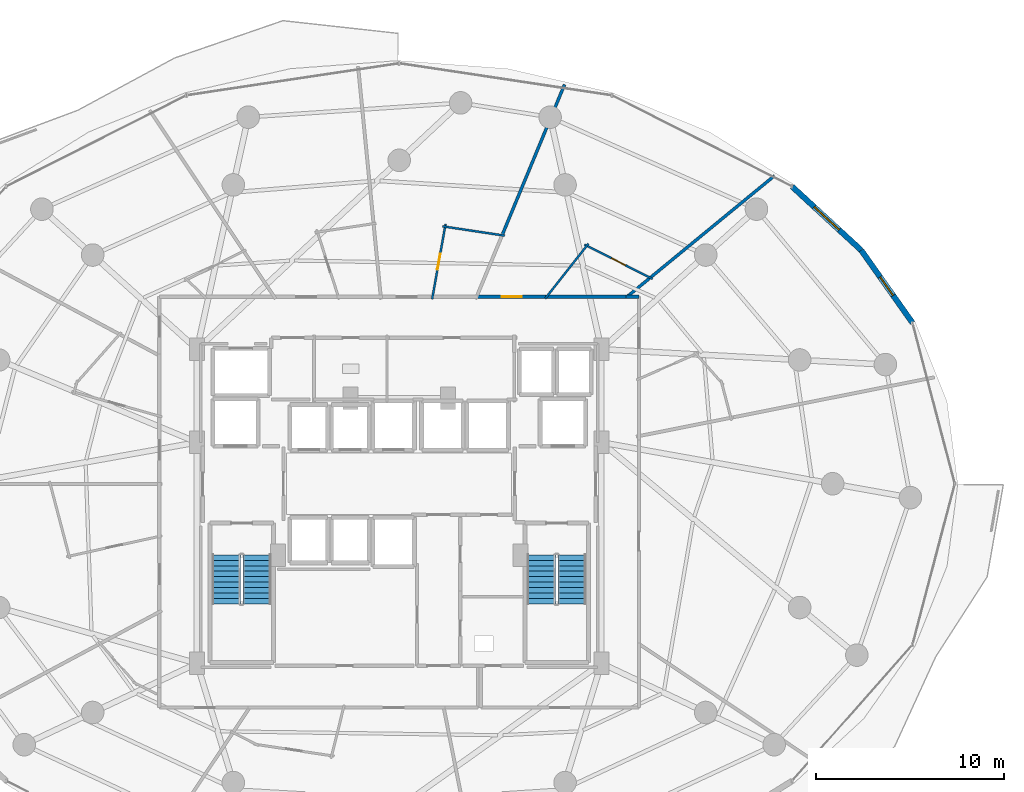
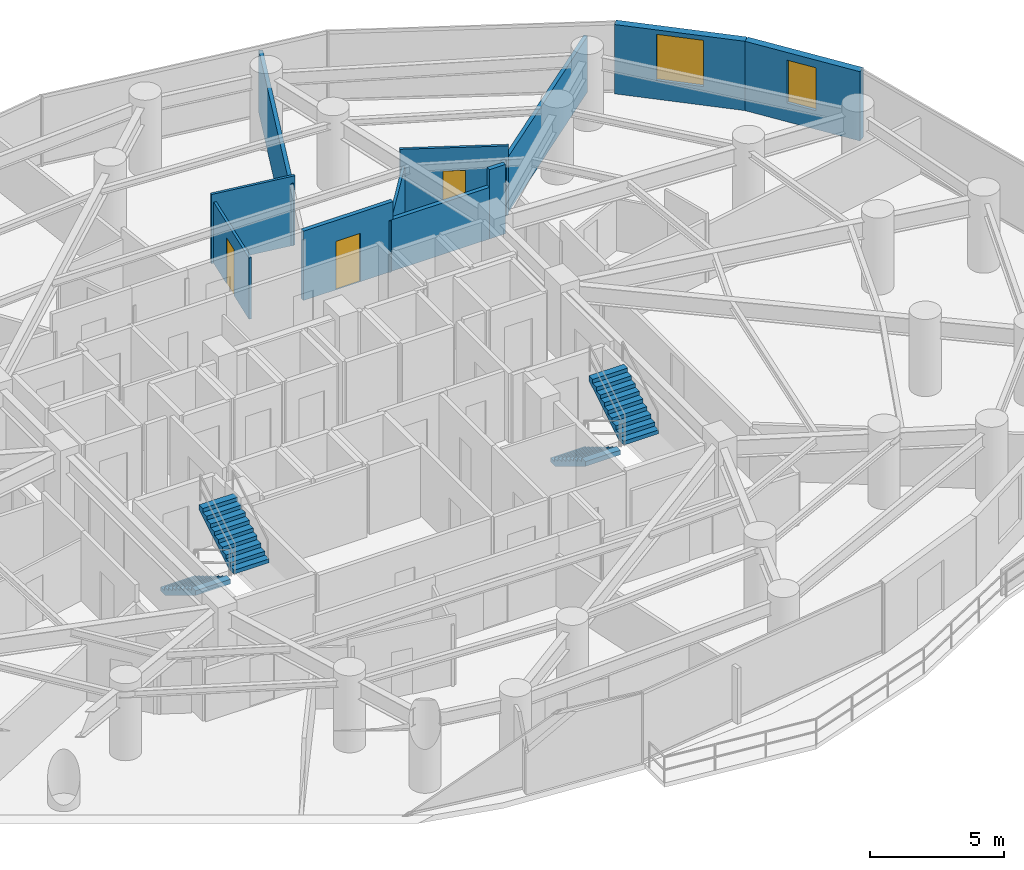
# One storey, part 30 of 34: 11 walls, 4 stair flights, 3 doors, 2 windows, 5 openings, 2 elements without a shape of their own.
"""IFC4 building model written with IfcOpenShell, lengths in metres."""

from ifc_helpers import new_model, si_unit, direction, frame, frame_2d, origin, place, context, subcontext, project, spatial, polyline, rectangle, outline, extrude, material, layer, layer_set, type_object, element, fill, aggregate, save


model = new_model("IFC4")

# Units and contexts
model_context = context("Model", 3, precision=1e-05, world=origin(), true_north=direction((0.0, 1.0)))
body_context = subcontext(model_context, "Body", "Model", "MODEL_VIEW")
ifc_project = project(units=[si_unit("LENGTHUNIT", "METRE"), si_unit("AREAUNIT", "SQUARE_METRE"), si_unit("VOLUMEUNIT", "CUBIC_METRE"), si_unit("PLANEANGLEUNIT", "RADIAN"), si_unit("MASSUNIT", "GRAM", prefix="KILO")], contexts=[model_context])

# Site, building, storey
site_placement = place(None, origin())
site = spatial("IfcSite", under=ifc_project, at=site_placement, CompositionType="ELEMENT")
building_placement = place(site_placement, origin())
building = spatial("IfcBuilding", under=site, at=building_placement, Name="Vorneva Point Tower", CompositionType="ELEMENT")
storey_placement = place(building_placement, frame((0.0, 0.0, 66.0)))
storey = spatial("IfcBuildingStorey", under=building, at=storey_placement, Name="L17", CompositionType="ELEMENT", Elevation=66.0)

# Wall, opening, window
ifc_material_1 = material(Name="Precast concrete B50 (C40/50)", Category="concrete")
ifc_layer_1 = layer(ifc_material_1, 0.300048828125)
ifc_layer_set_1 = layer_set([ifc_layer_1], Name="Precast concrete B50 (C40/50)")
wall_type_1 = type_object("IfcWallType", Name="WL-EXT-300", PredefinedType="STANDARD", material=ifc_layer_set_1)
wall_1_placement = place(storey_placement, frame((65.300537109375, 34.552978515625, 0.0), z_axis=(0.0, 0.0, 1.0), x_axis=(-0.577130815624, 0.816651713803, 0.0)))
wall_1 = element("IfcWall", 1, at=wall_1_placement, inside=storey, type_object=wall_type_1, Name="L17 Pale-Metal Facade Spandrel Wall 02.1", PredefinedType="STANDARD", context=body_context, shape_type="SweptSolid", body=[
    extrude(rectangle(XDim=4.7314453125, YDim=0.300048828125, at=frame_2d((2.36572265625, 0.0))), origin(), (0.0, 0.0, 1.0), 3.14990234375),
])
opening_1_placement = place(wall_1_placement, frame((1.79541015625, 0.0, 0.85009765625)))
opening_1 = element("IfcOpeningElement", 2, at=opening_1_placement, cuts=wall_1, Name="Opening W-04", PredefinedType="OPENING", context=body_context, shape_type="SweptSolid", body=[
    extrude(rectangle(XDim=1.199951171875, YDim=1.949951171875, at=frame_2d((0.60009765625, 0.97509765625))), frame((0.0, 0.1650390625, 0.0), z_axis=(0.0, -1.0, 0.0), x_axis=(1.0, 0.0, 0.0)), (0.0, 0.0, 1.0), 0.329833984375),
])
ifc_material_2 = material(Name="Double low-e laminated glass IGU", Category="glass")
window_type_1 = type_object("IfcWindowType", Name="WN-RES-1200", PartitioningType="SINGLE_PANEL", PredefinedType="WINDOW", material=ifc_material_2)
window_1_placement = place(opening_1_placement, origin())
window_1 = element("IfcWindow", 3, at=window_1_placement, inside=storey, type_object=window_type_1, Name="L17 Dwelling Vision Window 01", OverallHeight=1.949951171875, OverallWidth=1.199951171875, PartitioningType="SINGLE_PANEL", PredefinedType="WINDOW", context=body_context, shape_type="SweptSolid", body=[
    extrude(rectangle(XDim=1.199951171875, YDim=1.949951171875, at=frame_2d((0.60009765625, 0.97509765625))), frame((0.0, 0.030029296875, 0.0), z_axis=(0.0, -1.0, 0.0), x_axis=(1.0, 0.0, 0.0)), (0.0, 0.0, 1.0), 0.06005859375),
])
fill(opening_1, window_1)

wall_2_placement = place(storey_placement, frame((62.56982421875, 38.4169921875, 0.0), z_axis=(0.0, 0.0, 1.0), x_axis=(-0.735342629635, 0.677695519419, 0.0)))
wall_2 = element("IfcWall", 4, at=wall_2_placement, inside=storey, type_object=wall_type_1, Name="L17 Pale-Metal Facade Spandrel Wall 02.2", PredefinedType="STANDARD", context=body_context, shape_type="SweptSolid", body=[
    extrude(rectangle(XDim=4.997314453125, YDim=0.300048828125, at=frame_2d((2.49853515625, 0.0))), origin(), (0.0, 0.0, 1.0), 3.14990234375),
])
opening_2_placement = place(wall_2_placement, frame((1.598876953125, 0.0, 0.85009765625)))
opening_2 = element("IfcOpeningElement", 5, at=opening_2_placement, cuts=wall_2, Name="Opening W-01", PredefinedType="OPENING", context=body_context, shape_type="SweptSolid", body=[
    extrude(rectangle(XDim=1.800048828125, YDim=2.10009765625, at=frame_2d((0.89990234375, 1.050048828125))), frame((0.0, 0.1650390625, 0.0), z_axis=(0.0, -1.0, 0.0), x_axis=(1.0, 0.0, 0.0)), (0.0, 0.0, 1.0), 0.329833984375),
])
window_type_2 = type_object("IfcWindowType", Name="WN-LOG-1800", PartitioningType="SINGLE_PANEL", PredefinedType="WINDOW", material=ifc_material_2)
window_2_placement = place(opening_2_placement, origin())
window_2 = element("IfcWindow", 6, at=window_2_placement, inside=storey, type_object=window_type_2, Name="L17 Facade Window 02", OverallHeight=2.10009765625, OverallWidth=1.800048828125, PartitioningType="SINGLE_PANEL", PredefinedType="WINDOW", context=body_context, shape_type="SweptSolid", body=[
    extrude(rectangle(XDim=1.800048828125, YDim=2.10009765625, at=frame_2d((0.89990234375, 1.050048828125))), frame((0.0, 0.030029296875, 0.0), z_axis=(0.0, -1.0, 0.0), x_axis=(1.0, 0.0, 0.0)), (0.0, 0.0, 1.0), 0.06005859375),
])
fill(opening_2, window_2)

# Wall, opening, door
ifc_material_3 = material(Name="Fire-rated acoustic gypsum stud partition", Category="gypsum")
ifc_layer_2 = layer(ifc_material_3, 0.110107421875)
ifc_layer_set_2 = layer_set([ifc_layer_2], Name="Fire-rated acoustic gypsum stud partition")
wall_type_2 = type_object("IfcWallType", Name="WL-PART-110", PredefinedType="PARTITIONING", material=ifc_layer_set_2)
wall_3_placement = place(storey_placement, frame((47.85302734375, 38.72021484375, 0.0), z_axis=(0.0, 0.0, 1.0), x_axis=(0.892455812043, -0.451134817489, 0.0)))
wall_3 = element("IfcWall", 7, at=wall_3_placement, inside=storey, type_object=wall_type_2, Name="L17 Interior Partition 055", PredefinedType="PARTITIONING", context=body_context, shape_type="SweptSolid", body=[
    extrude(rectangle(XDim=4.054931640625, YDim=0.110107421875, at=frame_2d((2.02734375, 0.0))), origin(), (0.0, 0.0, 1.0), 3.14990234375),
])
opening_3_placement = place(wall_3_placement, frame((1.6025390625, 0.0, 0.0)))
opening_3 = element("IfcOpeningElement", 8, at=opening_3_placement, cuts=wall_3, Name="Opening ID-02", PredefinedType="OPENING", context=body_context, shape_type="SweptSolid", body=[
    extrude(rectangle(XDim=0.85009765625, YDim=2.10009765625, at=frame_2d((0.425048828125, 1.050048828125))), frame((0.0, 0.06982421875, 0.0), z_axis=(0.0, -1.0, 0.0), x_axis=(1.0, 0.0, 0.0)), (0.0, 0.0, 1.0), 0.139892578125),
])
ifc_material_4 = material(Name="Engineered oak fire-rated door leaf", Category="wood")
door_type_1 = type_object("IfcDoorType", Name="DR-BATH-850", OperationType="NOTDEFINED", PredefinedType="DOOR", material=ifc_material_4)
door_1_placement = place(opening_3_placement, origin())
door_1 = element("IfcDoor", 9, at=door_1_placement, inside=storey, type_object=door_type_1, Name="L17 Door Corner Suite L17-02 / En-Suite Bathroom L17-02", OperationType="SINGLE_SWING_RIGHT", OverallHeight=2.10009765625, OverallWidth=0.85009765625, PredefinedType="DOOR", context=body_context, shape_type="SweptSolid", body=[
    extrude(rectangle(XDim=0.85009765625, YDim=2.10009765625, at=frame_2d((0.425048828125, 1.050048828125))), frame((0.0, 0.02490234375, 0.0), z_axis=(0.0, -1.0, 0.0), x_axis=(1.0, 0.0, 0.0)), (0.0, 0.0, 1.0), 0.050048828125),
])
fill(opening_3, door_1)

# Wall
wall_4_placement = place(storey_placement, frame((45.75732421875, 35.840087890625, 0.0), z_axis=(0.0, 0.0, 1.0), x_axis=(0.619111031154, 0.785303464339, 0.0)))
element("IfcWall", 10, at=wall_4_placement, inside=storey, type_object=wall_type_2, Name="L17 Interior Partition 056", PredefinedType="PARTITIONING", context=body_context, shape_type="SweptSolid", body=[
    extrude(rectangle(XDim=3.726806640625, YDim=0.110107421875, at=frame_2d((1.86328125, 0.0))), origin(), (0.0, 0.0, 1.0), 2.342041015625),
])

# Wall, opening, door
wall_5_placement = place(storey_placement, frame((39.75244140625, 35.812255859375, 0.0), z_axis=(0.0, 0.0, 1.0), x_axis=(0.175744825879, 0.984435755231, 0.0)))
wall_5 = element("IfcWall", 11, at=wall_5_placement, inside=storey, type_object=wall_type_2, Name="L17 Interior Partition 059", PredefinedType="PARTITIONING", context=body_context, shape_type="SweptSolid", body=[
    extrude(rectangle(XDim=4.057861328125, YDim=0.110107421875, at=frame_2d((2.02880859375, 0.0))), origin(), (0.0, 0.0, 1.0), 2.783935546875),
])
opening_4_placement = place(wall_5_placement, frame((1.60400390625, 0.0, 0.0)))
opening_4 = element("IfcOpeningElement", 12, at=opening_4_placement, cuts=wall_5, Name="Opening ID-02", PredefinedType="OPENING", context=body_context, shape_type="SweptSolid", body=[
    extrude(rectangle(XDim=0.85009765625, YDim=2.10009765625, at=frame_2d((0.425048828125, 1.050048828125))), frame((0.0, 0.06982421875, 0.0), z_axis=(0.0, -1.0, 0.0), x_axis=(1.0, 0.0, 0.0)), (0.0, 0.0, 1.0), 0.139892578125),
])
door_2_placement = place(opening_4_placement, origin())
door_2 = element("IfcDoor", 13, at=door_2_placement, inside=storey, type_object=door_type_1, Name="L17 Door Junior Suite L17-03 / En-Suite Bathroom L17-03", OperationType="SINGLE_SWING_LEFT", OverallHeight=2.10009765625, OverallWidth=0.85009765625, PredefinedType="DOOR", context=body_context, shape_type="SweptSolid", body=[
    extrude(rectangle(XDim=0.85009765625, YDim=2.10009765625, at=frame_2d((0.425048828125, 1.050048828125))), frame((0.0, 0.02490234375, 0.0), z_axis=(0.0, -1.0, 0.0), x_axis=(1.0, 0.0, 0.0)), (0.0, 0.0, 1.0), 0.050048828125),
])
fill(opening_4, door_2)

# Walls
wall_6_placement = place(storey_placement, frame((40.302490234375, 39.689697265625, 0.0), z_axis=(0.0, 0.0, 1.0), x_axis=(0.988882233135, -0.148700803595, 0.0)))
element("IfcWall", 14, at=wall_6_placement, inside=storey, type_object=wall_type_2, Name="L17 Interior Partition 060", PredefinedType="PARTITIONING", context=body_context, shape_type="SweptSolid", body=[
    extrude(rectangle(XDim=3.345947265625, YDim=0.110107421875, at=frame_2d((1.6728515625, 0.0))), origin(), (0.0, 0.0, 1.0), 3.14990234375),
])
ifc_layer_3 = layer(ifc_material_3, 0.159912109375)
ifc_layer_set_3 = layer_set([ifc_layer_3], Name="Fire-rated acoustic gypsum stud partition")
wall_type_3 = type_object("IfcWallType", Name="WL-PART-160", PredefinedType="PARTITIONING", material=ifc_layer_set_3)
wall_7_placement = place(storey_placement, frame((57.9599609375, 42.381103515625, 0.0), z_axis=(0.0, 0.0, 1.0), x_axis=(-0.772992813725, -0.634414777515, 0.0)))
element("IfcWall", 15, at=wall_7_placement, inside=storey, type_object=wall_type_3, Name="L17 Interior Partition 052", PredefinedType="PARTITIONING", context=body_context, shape_type="SweptSolid", body=[
    extrude(rectangle(XDim=10.13720703125, YDim=0.159912109375, at=frame_2d((5.068603515625, 0.0))), origin(), (0.0, 0.0, 1.0), 2.533935546875),
])
wall_8_placement = place(storey_placement, frame((46.7919921875, 47.22509765625, 0.0), z_axis=(0.0, 0.0, 1.0), x_axis=(-0.382750893248, -0.923851586413, 0.0)))
element("IfcWall", 16, at=wall_8_placement, inside=storey, type_object=wall_type_3, Name="L17 Interior Partition 057", PredefinedType="PARTITIONING", context=body_context, shape_type="SweptSolid", body=[
    extrude(rectangle(XDim=8.734130859375, YDim=0.159912109375, at=frame_2d((4.3671875, 0.0))), origin(), (0.0, 0.0, 1.0), 2.839111328125),
])
ifc_material_5 = material(Name="Autoclaved aerated concrete blockwork", Category="masonry")
ifc_layer_4 = layer(ifc_material_5, 0.179931640625)
ifc_layer_set_4 = layer_set([ifc_layer_4], Name="Autoclaved aerated concrete blockwork")
wall_type_4 = type_object("IfcWallType", Name="WL-PART-180", PredefinedType="PARTITIONING", material=ifc_layer_set_4)
wall_9_placement = place(storey_placement, frame((50.75, 35.949951171875, 0.0), z_axis=(0.0, 0.0, 1.0), x_axis=(-1.0, 0.0, 0.0)))
element("IfcWall", 17, at=wall_9_placement, inside=storey, type_object=wall_type_4, Name="L17 Interior Partition 023", PredefinedType="PARTITIONING", context=body_context, shape_type="SweptSolid", body=[
    extrude(rectangle(XDim=0.68603515625, YDim=0.179931640625, at=frame_2d((0.343017578125, 0.0))), origin(), (0.0, 0.0, 1.0), 3.14990234375),
])

# Wall, opening, door
wall_10_placement = place(storey_placement, frame((45.919921875, 35.949951171875, 0.0), z_axis=(0.0, 0.0, 1.0), x_axis=(-1.0, 0.0, 0.0)))
wall_10 = element("IfcWall", 18, at=wall_10_placement, inside=storey, type_object=wall_type_4, Name="L17 Interior Partition 025", PredefinedType="PARTITIONING", context=body_context, shape_type="SweptSolid", body=[
    extrude(rectangle(XDim=3.85888671875, YDim=0.179931640625, at=frame_2d((1.929443359375, 0.0))), origin(), (0.0, 0.0, 1.0), 3.14990234375),
])
opening_5_placement = place(wall_10_placement, frame((1.404541015625, 0.0, 0.0)))
opening_5 = element("IfcOpeningElement", 19, at=opening_5_placement, cuts=wall_10, Name="Opening UD-02", PredefinedType="OPENING", context=body_context, shape_type="SweptSolid", body=[
    extrude(rectangle(XDim=1.050048828125, YDim=2.199951171875, at=frame_2d((0.52490234375, 1.10009765625))), frame((0.0, 0.10498046875, 0.0), z_axis=(0.0, -1.0, 0.0), x_axis=(1.0, 0.0, 0.0)), (0.0, 0.0, 1.0), 0.209716796875),
])
door_type_2 = type_object("IfcDoorType", Name="DR-SUITE-1050", OperationType="NOTDEFINED", PredefinedType="DOOR", material=ifc_material_4)
door_3_placement = place(opening_5_placement, origin())
door_3 = element("IfcDoor", 20, at=door_3_placement, inside=storey, type_object=door_type_2, Name="L17 Door L17 Circulation Corridor / Corner Suite L17-02", OperationType="SINGLE_SWING_LEFT", OverallHeight=2.199951171875, OverallWidth=1.050048828125, PredefinedType="DOOR", context=body_context, shape_type="SweptSolid", body=[
    extrude(rectangle(XDim=1.050048828125, YDim=2.199951171875, at=frame_2d((0.52490234375, 1.10009765625))), frame((0.0, 0.02490234375, 0.0), z_axis=(0.0, -1.0, 0.0), x_axis=(1.0, 0.0, 0.0)), (0.0, 0.0, 1.0), 0.050048828125),
])
fill(opening_5, door_3)

# Wall
wall_11_placement = place(storey_placement, frame((50.2041015625, 35.949951171875, 0.0), z_axis=(0.0, 0.0, 1.0), x_axis=(-1.0, 0.0, 0.0)))
element("IfcWall", 21, at=wall_11_placement, inside=storey, type_object=wall_type_4, Name="L17 Interior Partition 026", PredefinedType="PARTITIONING", context=body_context, shape_type="SweptSolid", body=[
    extrude(rectangle(XDim=4.424072265625, YDim=0.179931640625, at=frame_2d((2.2119140625, 0.0))), origin(), (0.0, 0.0, 1.0), 2.342041015625),
])

# Stair, stair flights
ifc_material_6 = material(Name="Concrete B50 (C40/50)", Category="concrete")
stair_type = type_object("IfcStairType", Name="ST-DOG-1500", PredefinedType="HALF_TURN_STAIR", material=ifc_material_6)
stair_1_placement = place(storey_placement, origin())
stair_1 = element("IfcStair", 22, at=stair_1_placement, inside=storey, type_object=stair_type, Name="L17 ST1", PredefinedType="HALF_TURN_STAIR")
stair_flight_type = type_object("IfcStairFlightType", Name="STF-1500", PredefinedType="STRAIGHT", material=ifc_material_6)
stair_flight_1_placement = place(storey_placement, frame((28.800048828125, 22.219970703125, 0.0), z_axis=(0.0, 0.0, 1.0), x_axis=(0.0, -1.0, 0.0)))
stair_flight_1 = element("IfcStairFlight", 23, at=stair_flight_1_placement, type_object=stair_flight_type, Name="ST1 flight 1", NumberOfRisers=10, NumberOfTreads=9, PredefinedType="STRAIGHT", RiserHeight=0.175, TreadLength=0.29, context=body_context, shape_type="SweptSolid", body=[
    extrude(outline(polyline([(0.0, 0.0), (0.0, 0.175048828125), (0.2900390625, 0.175048828125), (0.2900390625, 0.35009765625), (0.580078125, 0.35009765625), (0.580078125, 0.52490234375), (0.8701171875, 0.52490234375), (0.8701171875, 0.699951171875), (1.159912109375, 0.699951171875), (1.159912109375, 0.875), (1.449951171875, 0.875), (1.449951171875, 1.050048828125), (1.739990234375, 1.050048828125), (1.739990234375, 1.22509765625), (2.030029296875, 1.22509765625), (2.030029296875, 1.39990234375), (2.320068359375, 1.39990234375), (2.320068359375, 1.574951171875), (2.610107421875, 1.574951171875), (2.610107421875, 1.75), (2.610107421875, 1.36474609375), (0.34814453125, 0.0), (0.0, 0.0)])), frame((0.0, 0.75, 0.0), z_axis=(0.0, -1.0, 0.0), x_axis=(1.0, 0.0, 0.0)), (0.0, 0.0, 1.0), 1.5),
])
stair_flight_2_placement = place(storey_placement, frame((30.449951171875, 19.610107421875, 1.75), z_axis=(0.0, 0.0, 1.0), x_axis=(0.0, 1.0, 0.0)))
stair_flight_2 = element("IfcStairFlight", 24, at=stair_flight_2_placement, type_object=stair_flight_type, Name="ST1 flight 2", NumberOfRisers=10, NumberOfTreads=9, PredefinedType="STRAIGHT", RiserHeight=0.175, TreadLength=0.29, context=body_context, shape_type="SweptSolid", body=[
    extrude(outline(polyline([(0.0, 0.0), (0.0, 0.175048828125), (0.2900390625, 0.175048828125), (0.2900390625, 0.35009765625), (0.580078125, 0.35009765625), (0.580078125, 0.52490234375), (0.8701171875, 0.52490234375), (0.8701171875, 0.699951171875), (1.159912109375, 0.699951171875), (1.159912109375, 0.875), (1.449951171875, 0.875), (1.449951171875, 1.050048828125), (1.739990234375, 1.050048828125), (1.739990234375, 1.22509765625), (2.030029296875, 1.22509765625), (2.030029296875, 1.39990234375), (2.320068359375, 1.39990234375), (2.320068359375, 1.574951171875), (2.610107421875, 1.574951171875), (2.610107421875, 1.75), (2.610107421875, 1.36474609375), (0.34814453125, 0.0), (0.0, 0.0)])), frame((0.0, 0.75, 0.0), z_axis=(0.0, -1.0, 0.0), x_axis=(1.0, 0.0, 0.0)), (0.0, 0.0, 1.0), 1.5),
])
aggregate(stair_1, [stair_flight_1, stair_flight_2])

stair_2_placement = place(storey_placement, origin())
stair_2 = element("IfcStair", 25, at=stair_2_placement, inside=storey, type_object=stair_type, Name="L17 ST2", PredefinedType="HALF_TURN_STAIR")
stair_flight_3_placement = place(storey_placement, frame((45.550048828125, 22.219970703125, 0.0), z_axis=(0.0, 0.0, 1.0), x_axis=(0.0, -1.0, 0.0)))
stair_flight_3 = element("IfcStairFlight", 26, at=stair_flight_3_placement, type_object=stair_flight_type, Name="ST2 flight 1", NumberOfRisers=10, NumberOfTreads=9, PredefinedType="STRAIGHT", RiserHeight=0.175, TreadLength=0.29, context=body_context, shape_type="SweptSolid", body=[
    extrude(outline(polyline([(0.0, 0.0), (0.0, 0.175048828125), (0.2900390625, 0.175048828125), (0.2900390625, 0.35009765625), (0.580078125, 0.35009765625), (0.580078125, 0.52490234375), (0.8701171875, 0.52490234375), (0.8701171875, 0.699951171875), (1.159912109375, 0.699951171875), (1.159912109375, 0.875), (1.449951171875, 0.875), (1.449951171875, 1.050048828125), (1.739990234375, 1.050048828125), (1.739990234375, 1.22509765625), (2.030029296875, 1.22509765625), (2.030029296875, 1.39990234375), (2.320068359375, 1.39990234375), (2.320068359375, 1.574951171875), (2.610107421875, 1.574951171875), (2.610107421875, 1.75), (2.610107421875, 1.36474609375), (0.34814453125, 0.0), (0.0, 0.0)])), frame((0.0, 0.75, 0.0), z_axis=(0.0, -1.0, 0.0), x_axis=(1.0, 0.0, 0.0)), (0.0, 0.0, 1.0), 1.5),
])
stair_flight_4_placement = place(storey_placement, frame((47.199951171875, 19.610107421875, 1.75), z_axis=(0.0, 0.0, 1.0), x_axis=(0.0, 1.0, 0.0)))
stair_flight_4 = element("IfcStairFlight", 27, at=stair_flight_4_placement, type_object=stair_flight_type, Name="ST2 flight 2", NumberOfRisers=10, NumberOfTreads=9, PredefinedType="STRAIGHT", RiserHeight=0.175, TreadLength=0.29, context=body_context, shape_type="SweptSolid", body=[
    extrude(outline(polyline([(0.0, 0.0), (0.0, 0.175048828125), (0.2900390625, 0.175048828125), (0.2900390625, 0.35009765625), (0.580078125, 0.35009765625), (0.580078125, 0.52490234375), (0.8701171875, 0.52490234375), (0.8701171875, 0.699951171875), (1.159912109375, 0.699951171875), (1.159912109375, 0.875), (1.449951171875, 0.875), (1.449951171875, 1.050048828125), (1.739990234375, 1.050048828125), (1.739990234375, 1.22509765625), (2.030029296875, 1.22509765625), (2.030029296875, 1.39990234375), (2.320068359375, 1.39990234375), (2.320068359375, 1.574951171875), (2.610107421875, 1.574951171875), (2.610107421875, 1.75), (2.610107421875, 1.36474609375), (0.34814453125, 0.0), (0.0, 0.0)])), frame((0.0, 0.75, 0.0), z_axis=(0.0, -1.0, 0.0), x_axis=(1.0, 0.0, 0.0)), (0.0, 0.0, 1.0), 1.5),
])
aggregate(stair_2, [stair_flight_3, stair_flight_4])

save(model, "model.ifc")
